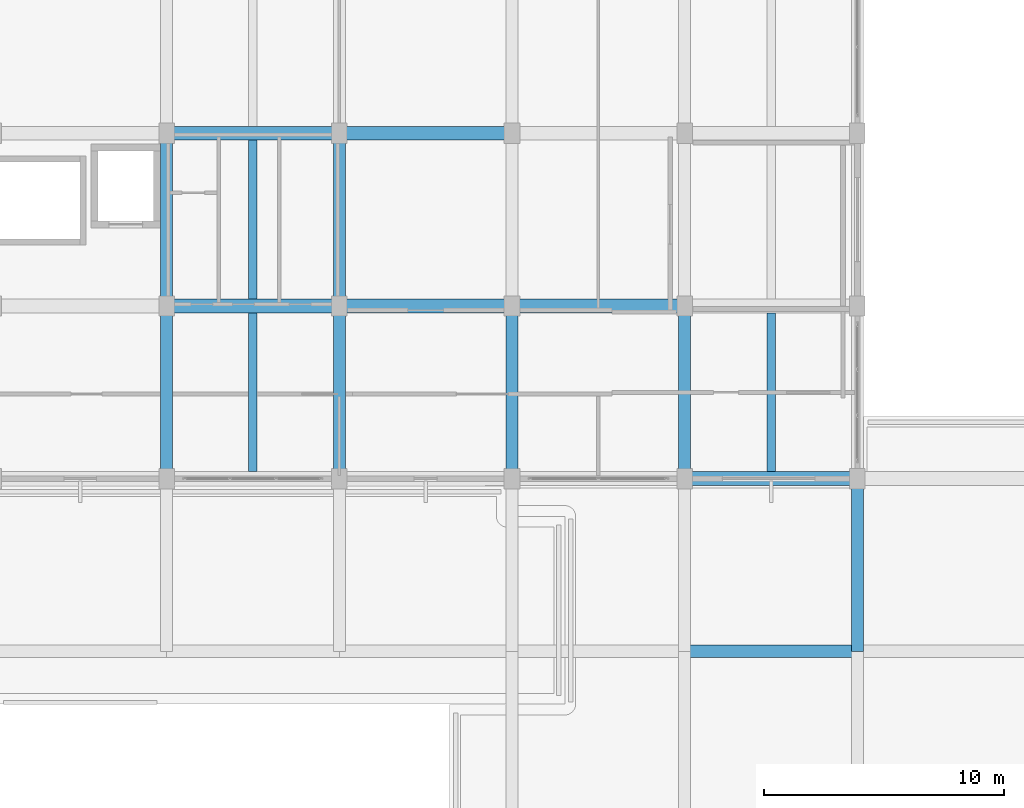
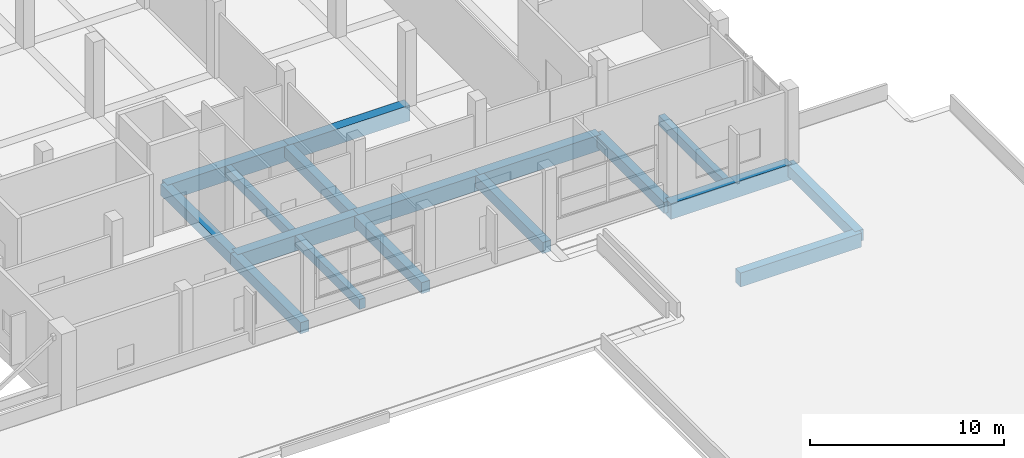
# One storey, part 99 of 140: 17 beams.
"""IFC4 building model written with IfcOpenShell, lengths in metres."""

import ifcopenshell
import ifcopenshell.guid

model = None  # the IFC model being written
_history = None  # IfcOwnerHistory: only IFC2X3 demands one
_inside = {}  # id of a spatial element -> (the spatial element, [elements in it])
_under = {}  # id of a project, library or spatial element -> (it, [spatial elements below it])
_declared = {}  # id of a project -> (the project, [libraries it declares])
_typed = {}  # id of a type object -> (the type object, [elements of that type])
_made_of = {}  # id of a material, layer set ... -> (it, [elements and type objects made of it])


def new_model(schema):
    """Start an empty IFC model of exactly this schema.

    Asked for "IFC4X3", IfcOpenShell would pick the latest addendum, in which some entities
    have other attributes; the version numbers below select the first issue.
    IFC2X3 requires an IfcOwnerHistory on every rooted entity: one is made here for all.
    """
    global model, _history
    if schema == "IFC4X3":
        model = ifcopenshell.file(schema_version=(4, 3, 0, 0))
    else:
        model = ifcopenshell.file(schema=schema)
    _inside.clear()
    _under.clear()
    _declared.clear()
    _typed.clear()
    _made_of.clear()
    _history = None
    if model.schema == "IFC2X3":
        org = make("IfcOrganization", Name="unknown")
        user = make(
            "IfcPersonAndOrganization",
            ThePerson=make("IfcPerson", FamilyName="unknown"),
            TheOrganization=org,
        )
        app = make(
            "IfcApplication",
            ApplicationDeveloper=org,
            Version="unknown",
            ApplicationFullName="unknown",
            ApplicationIdentifier="unknown",
        )
        _history = make(
            "IfcOwnerHistory",
            OwningUser=user,
            OwningApplication=app,
            ChangeAction="ADDED",
            CreationDate=0,
        )
    return model


def make(cls, **values):
    """One entity of the class cls with the attributes given. An attribute that is None is left unset."""
    return model.create_entity(
        cls, **{name: value for name, value in values.items() if value is not None}
    )


def rooted(cls, **values):
    """An entity with a GlobalId (a new one), such as an element, a storey or a relation."""
    return make(cls, GlobalId=ifcopenshell.guid.new(), OwnerHistory=_history, **values)


def si_unit(unit_type, name, prefix=None):
    """IfcSIUnit, for example si_unit("LENGTHUNIT", "METRE", prefix="MILLI")."""
    return make("IfcSIUnit", UnitType=unit_type, Prefix=prefix, Name=name)


def assignment(units):
    """IfcUnitAssignment: the units of a project."""
    return None if units is None else make("IfcUnitAssignment", Units=units)


def point(xyz):
    """IfcCartesianPoint."""
    return None if xyz is None else make("IfcCartesianPoint", Coordinates=xyz)


def direction(xyz):
    """IfcDirection."""
    return None if xyz is None else make("IfcDirection", DirectionRatios=xyz)


def frame(location, z_axis=None, x_axis=None):
    """IfcAxis2Placement3D, a coordinate frame: its origin and axes. An axis left out is left unset."""
    return make(
        "IfcAxis2Placement3D",
        Location=point(location),
        Axis=direction(z_axis),
        RefDirection=direction(x_axis),
    )


def frame_2d(location, x_axis=None):
    """IfcAxis2Placement2D, a coordinate frame in the plane: its origin and x axis."""
    return make(
        "IfcAxis2Placement2D", Location=point(location), RefDirection=direction(x_axis)
    )


def origin():
    """The frame at (0, 0, 0) with its axes left unset."""
    return frame((0.0, 0.0, 0.0))


def origin_2d():
    """The frame at (0, 0) in the plane with its x axis left unset."""
    return frame_2d((0.0, 0.0))


def place(relative_to, where):
    """IfcLocalPlacement: puts the frame where relative to a parent placement (None: the world)."""
    return make(
        "IfcLocalPlacement", PlacementRelTo=relative_to, RelativePlacement=where
    )


def context(
    kind, dimensions, precision=None, world=None, true_north=None, identifier=None
):
    """IfcGeometricRepresentationContext, for example the 3D "Model" context."""
    return make(
        "IfcGeometricRepresentationContext",
        ContextIdentifier=identifier,
        ContextType=kind,
        CoordinateSpaceDimension=dimensions,
        Precision=precision,
        WorldCoordinateSystem=world,
        TrueNorth=true_north,
    )


def subcontext(parent, identifier, kind, view, scale=None):
    """IfcGeometricRepresentationSubContext, for example "Body" below "Model"."""
    return make(
        "IfcGeometricRepresentationSubContext",
        ContextIdentifier=identifier,
        ContextType=kind,
        ParentContext=parent,
        TargetScale=scale,
        TargetView=view,
    )


def project(units=None, contexts=None):
    """IfcProject with its units and contexts."""
    return rooted(
        "IfcProject",
        Name="project",
        RepresentationContexts=contexts,
        UnitsInContext=assignment(units),
    )


def spatial(cls, under=None, at=None, **own):
    """A site, building, storey or space (cls), placed at a placement, below another one or the project."""
    s = rooted(cls, ObjectPlacement=at, **own)
    if under is not None:
        _under.setdefault(under.id(), (under, []))[1].append(s)
    return s


def profile(cls, at=None, kind="AREA", **sizes):
    """A parametric profile (cls). Its sizes go by their IFC names, for example OverallWidth=200.0."""
    return make(cls, ProfileType=kind, Position=at, **sizes)


def rectangle(**sizes):
    """IfcRectangleProfileDef."""
    return profile("IfcRectangleProfileDef", **sizes)


def extrude(swept, where, along, depth):
    """IfcExtrudedAreaSolid: the profile swept, set in the frame where, extruded along a direction by depth."""
    return make(
        "IfcExtrudedAreaSolid",
        SweptArea=swept,
        Position=where,
        ExtrudedDirection=direction(along),
        Depth=depth,
    )


def shape(context_of_items, identifier, shape_type, items):
    """IfcShapeRepresentation: the items that make up one representation, for example the "Body"."""
    return make(
        "IfcShapeRepresentation",
        ContextOfItems=context_of_items,
        RepresentationIdentifier=identifier,
        RepresentationType=shape_type,
        Items=items,
    )


def material(Name=None, Category=None):
    """IfcMaterial."""
    return make("IfcMaterial", Name=Name, Category=Category)


def material_profile(
    of_material, cross_section, Name=None, Category=None, Priority=None
):
    """IfcMaterialProfile: a cross section and its material."""
    return make(
        "IfcMaterialProfile",
        Name=Name,
        Material=of_material,
        Profile=cross_section,
        Priority=Priority,
        Category=Category,
    )


def profile_set(profiles, Name=None, composite=None):
    """IfcMaterialProfileSet."""
    return make(
        "IfcMaterialProfileSet",
        Name=Name,
        MaterialProfiles=profiles,
        CompositeProfile=composite,
    )


def made_of(thing, what):
    """Note that an element or type object is made of a material, layer set ...; save() writes the relation."""
    if what is not None:
        _made_of.setdefault(what.id(), (what, []))[1].append(thing)
    return thing


def type_object(cls, material=None, **own):
    """A type object (cls), such as IfcWallType, which elements share."""
    return made_of(rooted(cls, **own), material)


def element(
    cls,
    number,
    at=None,
    inside=None,
    cuts=None,
    type_object=None,
    material=None,
    context=None,
    identifier="Body",
    shape_type=None,
    held_by="IfcProductDefinitionShape",
    body=None,
    shapes=None,
    **own,
):
    """One element of the class cls, such as IfcWall. Its Tag is "e" and its number.

    at: its placement. inside: the storey or other place that contains it. cuts: it is an
    opening in that element (IfcRelVoidsElement). A single representation is given by context,
    identifier, shape_type and body (its items); several are given by shapes. held_by: the class
    of the entity that holds the representations. save() writes the other relations.
    """
    e = rooted(cls, Tag="e%d" % number, ObjectPlacement=at, **own)
    if body is not None:
        shapes = [shape(context, identifier, shape_type, body)]
    if shapes is not None:
        e.Representation = make(held_by, Representations=shapes)
    if inside is not None:
        _inside.setdefault(inside.id(), (inside, []))[1].append(e)
    if cuts is not None:
        rooted(
            "IfcRelVoidsElement", RelatingBuildingElement=cuts, RelatedOpeningElement=e
        )
    if type_object is not None:
        _typed.setdefault(type_object.id(), (type_object, []))[1].append(e)
    return made_of(e, material)


def aggregate(whole, parts):
    """IfcRelAggregates: a whole, such as a stair, and the parts it consists of."""
    return rooted("IfcRelAggregates", RelatingObject=whole, RelatedObjects=parts)


def save(model, path):
    """Write the relations noted so far, then the file.

    IfcRelAggregates (storeys below a building ...), IfcRelContainedInSpatialStructure (elements
    in a storey), IfcRelDefinesByType, IfcRelAssociatesMaterial and IfcRelDeclares: one each for
    every whole, place, type object, material and project.
    """
    for whole, parts in _under.values():
        aggregate(whole, parts)
    for where, things in _inside.values():
        rooted(
            "IfcRelContainedInSpatialStructure",
            RelatedElements=things,
            RelatingStructure=where,
        )
    for kind, things in _typed.values():
        rooted("IfcRelDefinesByType", RelatedObjects=things, RelatingType=kind)
    for what, things in _made_of.values():
        rooted("IfcRelAssociatesMaterial", RelatedObjects=things, RelatingMaterial=what)
    for by, libraries in _declared.values():
        rooted("IfcRelDeclares", RelatingContext=by, RelatedDefinitions=libraries)
    model.write(path)


model = new_model("IFC4")

# Units and contexts
model_context = context("Model", 3, precision=1e-05, world=origin(), true_north=direction((0.0, 1.0)))
body_context = subcontext(model_context, "Body", "Model", "MODEL_VIEW")
ifc_project = project(units=[si_unit("LENGTHUNIT", "METRE"), si_unit("AREAUNIT", "SQUARE_METRE"), si_unit("VOLUMEUNIT", "CUBIC_METRE"), si_unit("PLANEANGLEUNIT", "RADIAN"), si_unit("MASSUNIT", "GRAM", prefix="KILO")], contexts=[model_context])

# Site, building, storey
site_placement = place(None, origin())
site = spatial("IfcSite", under=ifc_project, at=site_placement, CompositionType="ELEMENT")
building_placement = place(site_placement, origin())
building = spatial("IfcBuilding", under=site, at=building_placement, Name="Seraya Terrace Polytechnic", CompositionType="ELEMENT")
storey_placement = place(building_placement, frame((0.0, 0.0, 9.60009765625)))
storey = spatial("IfcBuildingStorey", under=building, at=storey_placement, Name="L02", CompositionType="ELEMENT", Elevation=9.60009765625)

# Beams
ifc_material = material(Name="Concrete C40/50", Category="concrete")
ifc_material_profile_1 = material_profile(ifc_material, rectangle(XDim=0.580078125, YDim=0.97998046875, at=origin_2d()), Name="RC 580x980")
ifc_profile_set_1 = profile_set([ifc_material_profile_1], Name="Concrete C40/50")
beam_type_1 = type_object("IfcBeamType", Name="BM-02", PredefinedType="BEAM", material=ifc_profile_set_1)
for number, where, z_axis, x_axis, name in (
    (1, (151.199951171875, 79.199951171875, -0.489990234375), (1.0, 0.0, 0.0), (0.0, 1.0, 0.0), "Beam BM-02 L02 X (151.2..158.4, 79.2)"),
    (2, (129.60009765625, 86.39990234375, -0.489990234375), (1.0, 0.0, 0.0), (0.0, 1.0, 0.0), "Beam BM-02 L02 X (129.6..136.8, 86.4)"),
    (3, (136.800048828125, 86.39990234375, -0.489990234375), (1.0, 0.0, 0.0), (0.0, 1.0, 0.0), "Beam BM-02 L02 X (136.8..144.0, 86.4)"),
    (4, (144.0, 86.39990234375, -0.489990234375), (1.0, 0.0, 0.0), (0.0, 1.0, 0.0), "Beam BM-02 L02 X (144.0..151.2, 86.4)"),
    (5, (129.60009765625, 93.60009765625, -0.489990234375), (1.0, 0.0, 0.0), (0.0, 1.0, 0.0), "Beam BM-02 L02 X (129.6..136.8, 93.6)"),
    (6, (136.800048828125, 93.60009765625, -0.489990234375), (1.0, 0.0, 0.0), (0.0, 1.0, 0.0), "Beam BM-02 L02 X (136.8..144.0, 93.6)"),
):
    element("IfcBeam", number, at=place(storey_placement, frame(where, z_axis=z_axis, x_axis=x_axis)), inside=storey, type_object=beam_type_1, Name=name, PredefinedType="BEAM", context=body_context, shape_type="SweptSolid", body=[
        extrude(rectangle(XDim=0.580078125, YDim=0.97998046875, at=origin_2d()), origin(), (0.0, 0.0, 1.0), 7.199951171875),
    ])
ifc_material_profile_2 = material_profile(ifc_material, rectangle(XDim=0.52001953125, YDim=0.8798828125, at=origin_2d()), Name="RC 520x880")
ifc_profile_set_2 = profile_set([ifc_material_profile_2], Name="Concrete C40/50")
beam_type_2 = type_object("IfcBeamType", Name="BM-04", PredefinedType="BEAM", material=ifc_profile_set_2)
beam_1_placement = place(storey_placement, frame((151.199951171875, 72.0, -0.440185546875), z_axis=(1.0, 0.0, 0.0), x_axis=(0.0, 1.0, 0.0)))
element("IfcBeam", 7, at=beam_1_placement, inside=storey, type_object=beam_type_2, Name="Beam BM-04 L02 X (151.2..158.4, 72.0)", PredefinedType="BEAM", context=body_context, shape_type="SweptSolid", body=[
    extrude(rectangle(XDim=0.52001953125, YDim=0.8798828125, at=origin_2d()), origin(), (0.0, 0.0, 1.0), 7.199951171875),
])
ifc_material_profile_3 = material_profile(ifc_material, rectangle(XDim=0.5, YDim=0.699951171875, at=origin_2d()), Name="RC 500x700")
ifc_profile_set_3 = profile_set([ifc_material_profile_3], Name="Concrete C40/50")
beam_type_3 = type_object("IfcBeamType", Name="BM-07", PredefinedType="BEAM", material=ifc_profile_set_3)
beam_2_placement = place(storey_placement, frame((129.60009765625, 79.199951171875, -0.35009765625), z_axis=(0.0, 1.0, 0.0), x_axis=(-1.0, 0.0, 0.0)))
element("IfcBeam", 8, at=beam_2_placement, inside=storey, type_object=beam_type_3, Name="Beam BM-07 L02 Y (129.6, 79.2..86.4)", PredefinedType="BEAM", context=body_context, shape_type="SweptSolid", body=[
    extrude(rectangle(XDim=0.5, YDim=0.699951171875, at=origin_2d()), origin(), (0.0, 0.0, 1.0), 7.199951171875),
])
beam_3_placement = place(storey_placement, frame((129.60009765625, 86.39990234375, -0.35009765625), z_axis=(0.0, 1.0, 0.0), x_axis=(-1.0, 0.0, 0.0)))
element("IfcBeam", 9, at=beam_3_placement, inside=storey, type_object=beam_type_3, Name="Beam BM-07 L02 Y (129.6, 86.4..93.6)", PredefinedType="BEAM", context=body_context, shape_type="SweptSolid", body=[
    extrude(rectangle(XDim=0.5, YDim=0.699951171875, at=origin_2d()), origin(), (0.0, 0.0, 1.0), 7.2001953125),
])
beam_4_placement = place(storey_placement, frame((136.800048828125, 79.199951171875, -0.35009765625), z_axis=(0.0, 1.0, 0.0), x_axis=(-1.0, 0.0, 0.0)))
element("IfcBeam", 10, at=beam_4_placement, inside=storey, type_object=beam_type_3, Name="Beam BM-07 L02 Y (136.8, 79.2..86.4)", PredefinedType="BEAM", context=body_context, shape_type="SweptSolid", body=[
    extrude(rectangle(XDim=0.5, YDim=0.699951171875, at=origin_2d()), origin(), (0.0, 0.0, 1.0), 7.199951171875),
])
beam_5_placement = place(storey_placement, frame((136.800048828125, 86.39990234375, -0.35009765625), z_axis=(0.0, 1.0, 0.0), x_axis=(-1.0, 0.0, 0.0)))
element("IfcBeam", 11, at=beam_5_placement, inside=storey, type_object=beam_type_3, Name="Beam BM-07 L02 Y (136.8, 86.4..93.6)", PredefinedType="BEAM", context=body_context, shape_type="SweptSolid", body=[
    extrude(rectangle(XDim=0.5, YDim=0.699951171875, at=origin_2d()), origin(), (0.0, 0.0, 1.0), 7.2001953125),
])
for number, where, z_axis, x_axis, name in (
    (12, (144.0, 79.199951171875, -0.35009765625), (0.0, 1.0, 0.0), (-1.0, 0.0, 0.0), "Beam BM-07 L02 Y (144.0, 79.2..86.4)"),
    (13, (151.199951171875, 79.199951171875, -0.35009765625), (0.0, 1.0, 0.0), (-1.0, 0.0, 0.0), "Beam BM-07 L02 Y (151.2, 79.2..86.4)"),
    (14, (158.39990234375, 72.0, -0.35009765625), (0.0, 1.0, 0.0), (-1.0, 0.0, 0.0), "Beam BM-07 L02 Y (158.4, 72.0..79.2)"),
):
    element("IfcBeam", number, at=place(storey_placement, frame(where, z_axis=z_axis, x_axis=x_axis)), inside=storey, type_object=beam_type_3, Name=name, PredefinedType="BEAM", context=body_context, shape_type="SweptSolid", body=[
        extrude(rectangle(XDim=0.5, YDim=0.699951171875, at=origin_2d()), origin(), (0.0, 0.0, 1.0), 7.199951171875),
    ])
ifc_material_profile_4 = material_profile(ifc_material, rectangle(XDim=0.360107421875, YDim=0.6201171875, at=origin_2d()), Name="RC 360x620")
ifc_profile_set_4 = profile_set([ifc_material_profile_4], Name="Concrete C40/50")
beam_type_4 = type_object("IfcBeamType", Name="JS-01", PredefinedType="JOIST", material=ifc_profile_set_4)
for number, where, z_axis, x_axis, name in (
    (15, (133.199951171875, 79.489990234375, -0.31005859375), (0.0, 1.0, 0.0), (-1.0, 0.0, 0.0), "Secondary joist JS-01 L02"),
    (16, (133.199951171875, 86.68994140625, -0.31005859375), (0.0, 1.0, 0.0), (-1.0, 0.0, 0.0), "Secondary joist JS-01 L02"),
    (17, (154.800048828125, 79.489990234375, -0.31005859375), (0.0, 1.0, 0.0), (-1.0, 0.0, 0.0), "Secondary joist JS-01 L02"),
):
    element("IfcBeam", number, at=place(storey_placement, frame(where, z_axis=z_axis, x_axis=x_axis)), inside=storey, type_object=beam_type_4, Name=name, PredefinedType="JOIST", context=body_context, shape_type="SweptSolid", body=[
        extrude(rectangle(XDim=0.360107421875, YDim=0.6201171875, at=origin_2d()), origin(), (0.0, 0.0, 1.0), 6.6201171875),
    ])

save(model, "model.ifc")
